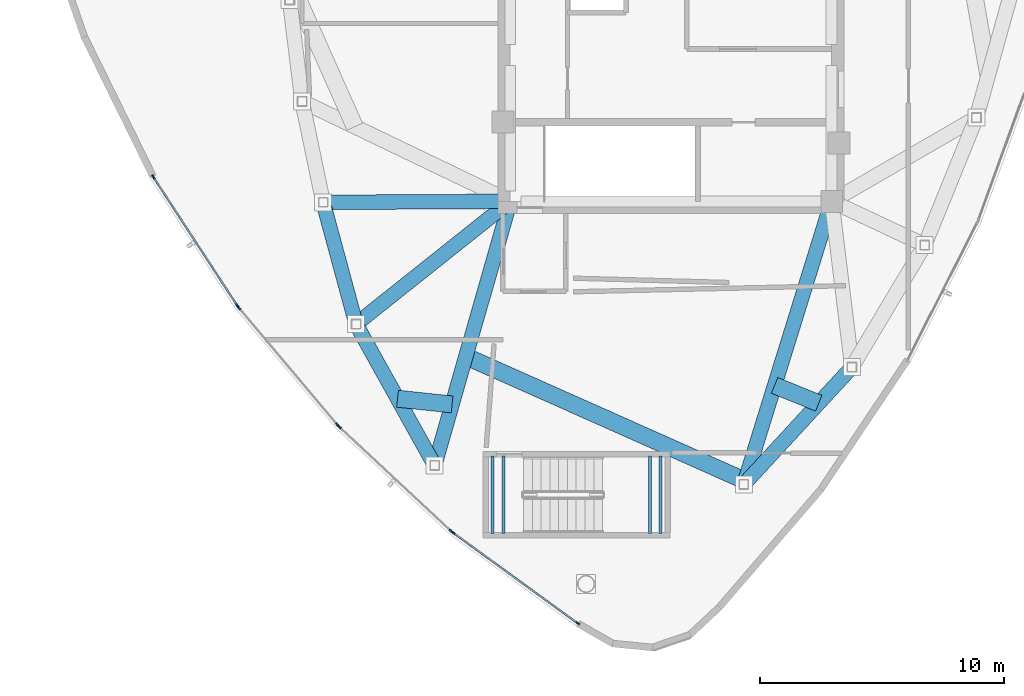
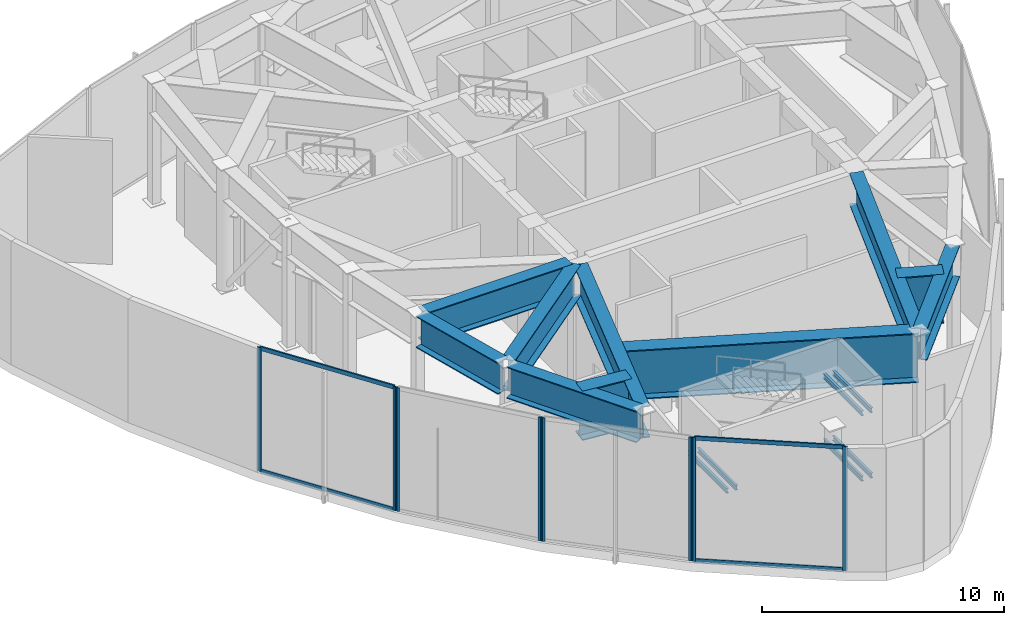
# One storey, part 2 of 13: 16 beams, 12 members, 4 elements without a shape of their own.
"""IFC4 building model written with IfcOpenShell, lengths in metres."""

import ifcopenshell
import ifcopenshell.guid

model = None  # the IFC model being written
_history = None  # IfcOwnerHistory: only IFC2X3 demands one
_inside = {}  # id of a spatial element -> (the spatial element, [elements in it])
_under = {}  # id of a project, library or spatial element -> (it, [spatial elements below it])
_declared = {}  # id of a project -> (the project, [libraries it declares])
_typed = {}  # id of a type object -> (the type object, [elements of that type])
_made_of = {}  # id of a material, layer set ... -> (it, [elements and type objects made of it])


def new_model(schema):
    """Start an empty IFC model of exactly this schema.

    Asked for "IFC4X3", IfcOpenShell would pick the latest addendum, in which some entities
    have other attributes; the version numbers below select the first issue.
    IFC2X3 requires an IfcOwnerHistory on every rooted entity: one is made here for all.
    """
    global model, _history
    if schema == "IFC4X3":
        model = ifcopenshell.file(schema_version=(4, 3, 0, 0))
    else:
        model = ifcopenshell.file(schema=schema)
    _inside.clear()
    _under.clear()
    _declared.clear()
    _typed.clear()
    _made_of.clear()
    _history = None
    if model.schema == "IFC2X3":
        org = make("IfcOrganization", Name="unknown")
        user = make(
            "IfcPersonAndOrganization",
            ThePerson=make("IfcPerson", FamilyName="unknown"),
            TheOrganization=org,
        )
        app = make(
            "IfcApplication",
            ApplicationDeveloper=org,
            Version="unknown",
            ApplicationFullName="unknown",
            ApplicationIdentifier="unknown",
        )
        _history = make(
            "IfcOwnerHistory",
            OwningUser=user,
            OwningApplication=app,
            ChangeAction="ADDED",
            CreationDate=0,
        )
    return model


def make(cls, **values):
    """One entity of the class cls with the attributes given. An attribute that is None is left unset."""
    return model.create_entity(
        cls, **{name: value for name, value in values.items() if value is not None}
    )


def rooted(cls, **values):
    """An entity with a GlobalId (a new one), such as an element, a storey or a relation."""
    return make(cls, GlobalId=ifcopenshell.guid.new(), OwnerHistory=_history, **values)


def si_unit(unit_type, name, prefix=None):
    """IfcSIUnit, for example si_unit("LENGTHUNIT", "METRE", prefix="MILLI")."""
    return make("IfcSIUnit", UnitType=unit_type, Prefix=prefix, Name=name)


def assignment(units):
    """IfcUnitAssignment: the units of a project."""
    return None if units is None else make("IfcUnitAssignment", Units=units)


def point(xyz):
    """IfcCartesianPoint."""
    return None if xyz is None else make("IfcCartesianPoint", Coordinates=xyz)


def direction(xyz):
    """IfcDirection."""
    return None if xyz is None else make("IfcDirection", DirectionRatios=xyz)


def frame(location, z_axis=None, x_axis=None):
    """IfcAxis2Placement3D, a coordinate frame: its origin and axes. An axis left out is left unset."""
    return make(
        "IfcAxis2Placement3D",
        Location=point(location),
        Axis=direction(z_axis),
        RefDirection=direction(x_axis),
    )


def frame_2d(location, x_axis=None):
    """IfcAxis2Placement2D, a coordinate frame in the plane: its origin and x axis."""
    return make(
        "IfcAxis2Placement2D", Location=point(location), RefDirection=direction(x_axis)
    )


def origin():
    """The frame at (0, 0, 0) with its axes left unset."""
    return frame((0.0, 0.0, 0.0))


def origin_2d():
    """The frame at (0, 0) in the plane with its x axis left unset."""
    return frame_2d((0.0, 0.0))


def place(relative_to, where):
    """IfcLocalPlacement: puts the frame where relative to a parent placement (None: the world)."""
    return make(
        "IfcLocalPlacement", PlacementRelTo=relative_to, RelativePlacement=where
    )


def context(
    kind, dimensions, precision=None, world=None, true_north=None, identifier=None
):
    """IfcGeometricRepresentationContext, for example the 3D "Model" context."""
    return make(
        "IfcGeometricRepresentationContext",
        ContextIdentifier=identifier,
        ContextType=kind,
        CoordinateSpaceDimension=dimensions,
        Precision=precision,
        WorldCoordinateSystem=world,
        TrueNorth=true_north,
    )


def subcontext(parent, identifier, kind, view, scale=None):
    """IfcGeometricRepresentationSubContext, for example "Body" below "Model"."""
    return make(
        "IfcGeometricRepresentationSubContext",
        ContextIdentifier=identifier,
        ContextType=kind,
        ParentContext=parent,
        TargetScale=scale,
        TargetView=view,
    )


def project(units=None, contexts=None):
    """IfcProject with its units and contexts."""
    return rooted(
        "IfcProject",
        Name="project",
        RepresentationContexts=contexts,
        UnitsInContext=assignment(units),
    )


def spatial(cls, under=None, at=None, **own):
    """A site, building, storey or space (cls), placed at a placement, below another one or the project."""
    s = rooted(cls, ObjectPlacement=at, **own)
    if under is not None:
        _under.setdefault(under.id(), (under, []))[1].append(s)
    return s


def profile(cls, at=None, kind="AREA", **sizes):
    """A parametric profile (cls). Its sizes go by their IFC names, for example OverallWidth=200.0."""
    return make(cls, ProfileType=kind, Position=at, **sizes)


def hollow_rectangle(**sizes):
    """IfcRectangleHollowProfileDef."""
    return profile("IfcRectangleHollowProfileDef", **sizes)


def i_section(**sizes):
    """IfcIShapeProfileDef."""
    return profile("IfcIShapeProfileDef", **sizes)


def extrude(swept, where, along, depth):
    """IfcExtrudedAreaSolid: the profile swept, set in the frame where, extruded along a direction by depth."""
    return make(
        "IfcExtrudedAreaSolid",
        SweptArea=swept,
        Position=where,
        ExtrudedDirection=direction(along),
        Depth=depth,
    )


def shape(context_of_items, identifier, shape_type, items):
    """IfcShapeRepresentation: the items that make up one representation, for example the "Body"."""
    return make(
        "IfcShapeRepresentation",
        ContextOfItems=context_of_items,
        RepresentationIdentifier=identifier,
        RepresentationType=shape_type,
        Items=items,
    )


def source(mapping_origin, context_of_items, identifier, shape_type, items):
    """IfcRepresentationMap: a shape defined once, which mapped items show again and again."""
    return make(
        "IfcRepresentationMap",
        MappingOrigin=mapping_origin,
        MappedRepresentation=shape(context_of_items, identifier, shape_type, items),
    )


def transform(
    local_origin,
    x_axis=None,
    y_axis=None,
    z_axis=None,
    scale=None,
    scale2=None,
    scale3=None,
    uniform=True,
):
    """IfcCartesianTransformationOperator3D, or its non-uniform kind. x_axis, y_axis, z_axis: its Axis1, 2, 3."""
    if uniform:
        return make(
            "IfcCartesianTransformationOperator3D",
            Axis1=direction(x_axis),
            Axis2=direction(y_axis),
            LocalOrigin=point(local_origin),
            Scale=scale,
            Axis3=direction(z_axis),
        )
    return make(
        "IfcCartesianTransformationOperator3DnonUniform",
        Axis1=direction(x_axis),
        Axis2=direction(y_axis),
        LocalOrigin=point(local_origin),
        Scale=scale,
        Axis3=direction(z_axis),
        Scale2=scale2,
        Scale3=scale3,
    )


def mapped(mapping_source, mapping_target):
    """IfcMappedItem: shows the shape of a source again, moved by a transform."""
    return make(
        "IfcMappedItem", MappingSource=mapping_source, MappingTarget=mapping_target
    )


def material(Name=None, Category=None):
    """IfcMaterial."""
    return make("IfcMaterial", Name=Name, Category=Category)


def layer(
    of_material, thickness, ventilated=None, Name=None, Category=None, Priority=None
):
    """IfcMaterialLayer: one layer of a wall or slab, of a material (None: an air gap)."""
    return make(
        "IfcMaterialLayer",
        Material=of_material,
        LayerThickness=thickness,
        IsVentilated=ventilated,
        Name=Name,
        Category=Category,
        Priority=Priority,
    )


def layer_set(layers, Name=None):
    """IfcMaterialLayerSet."""
    return make("IfcMaterialLayerSet", MaterialLayers=layers, LayerSetName=Name)


def material_profile(
    of_material, cross_section, Name=None, Category=None, Priority=None
):
    """IfcMaterialProfile: a cross section and its material."""
    return make(
        "IfcMaterialProfile",
        Name=Name,
        Material=of_material,
        Profile=cross_section,
        Priority=Priority,
        Category=Category,
    )


def profile_set(profiles, Name=None, composite=None):
    """IfcMaterialProfileSet."""
    return make(
        "IfcMaterialProfileSet",
        Name=Name,
        MaterialProfiles=profiles,
        CompositeProfile=composite,
    )


def made_of(thing, what):
    """Note that an element or type object is made of a material, layer set ...; save() writes the relation."""
    if what is not None:
        _made_of.setdefault(what.id(), (what, []))[1].append(thing)
    return thing


def type_object(cls, material=None, **own):
    """A type object (cls), such as IfcWallType, which elements share."""
    return made_of(rooted(cls, **own), material)


def type_shapes(of_type, sources):
    """Give a type object the sources (RepresentationMaps) that its elements show as mapped items."""
    of_type.RepresentationMaps = sources


def element(
    cls,
    number,
    at=None,
    inside=None,
    cuts=None,
    type_object=None,
    material=None,
    context=None,
    identifier="Body",
    shape_type=None,
    held_by="IfcProductDefinitionShape",
    body=None,
    shapes=None,
    **own,
):
    """One element of the class cls, such as IfcWall. Its Tag is "e" and its number.

    at: its placement. inside: the storey or other place that contains it. cuts: it is an
    opening in that element (IfcRelVoidsElement). A single representation is given by context,
    identifier, shape_type and body (its items); several are given by shapes. held_by: the class
    of the entity that holds the representations. save() writes the other relations.
    """
    e = rooted(cls, Tag="e%d" % number, ObjectPlacement=at, **own)
    if body is not None:
        shapes = [shape(context, identifier, shape_type, body)]
    if shapes is not None:
        e.Representation = make(held_by, Representations=shapes)
    if inside is not None:
        _inside.setdefault(inside.id(), (inside, []))[1].append(e)
    if cuts is not None:
        rooted(
            "IfcRelVoidsElement", RelatingBuildingElement=cuts, RelatedOpeningElement=e
        )
    if type_object is not None:
        _typed.setdefault(type_object.id(), (type_object, []))[1].append(e)
    return made_of(e, material)


def aggregate(whole, parts):
    """IfcRelAggregates: a whole, such as a stair, and the parts it consists of."""
    return rooted("IfcRelAggregates", RelatingObject=whole, RelatedObjects=parts)


def save(model, path):
    """Write the relations noted so far, then the file.

    IfcRelAggregates (storeys below a building ...), IfcRelContainedInSpatialStructure (elements
    in a storey), IfcRelDefinesByType, IfcRelAssociatesMaterial and IfcRelDeclares: one each for
    every whole, place, type object, material and project.
    """
    for whole, parts in _under.values():
        aggregate(whole, parts)
    for where, things in _inside.values():
        rooted(
            "IfcRelContainedInSpatialStructure",
            RelatedElements=things,
            RelatingStructure=where,
        )
    for kind, things in _typed.values():
        rooted("IfcRelDefinesByType", RelatedObjects=things, RelatingType=kind)
    for what, things in _made_of.values():
        rooted("IfcRelAssociatesMaterial", RelatedObjects=things, RelatingMaterial=what)
    for by, libraries in _declared.values():
        rooted("IfcRelDeclares", RelatingContext=by, RelatedDefinitions=libraries)
    model.write(path)


model = new_model("IFC4")

# Units and contexts
model_context = context("Model", 3, precision=1e-05, world=origin(), true_north=direction((0.0, 1.0)))
body_context = subcontext(model_context, "Body", "Model", "MODEL_VIEW")
ifc_project = project(units=[si_unit("LENGTHUNIT", "METRE"), si_unit("AREAUNIT", "SQUARE_METRE"), si_unit("VOLUMEUNIT", "CUBIC_METRE"), si_unit("PLANEANGLEUNIT", "RADIAN"), si_unit("MASSUNIT", "GRAM", prefix="KILO")], contexts=[model_context])

# Site, building, storey
site_placement = place(None, origin())
site = spatial("IfcSite", under=ifc_project, at=site_placement, CompositionType="ELEMENT")
building_placement = place(site_placement, origin())
building = spatial("IfcBuilding", under=site, at=building_placement, Name="Tavelor Broadcast Tower", CompositionType="ELEMENT")
storey_placement = place(building_placement, frame((0.0, 0.0, 325.5)))
storey = spatial("IfcBuildingStorey", under=building, at=storey_placement, Name="L78", CompositionType="ELEMENT", Elevation=325.5)

# Beams
ifc_material_1 = material(Name="Steel S460", Category="steel")
ifc_material_profile_1 = material_profile(ifc_material_1, i_section(OverallWidth=0.60009765625, OverallDepth=1.60009765625, WebThickness=0.028076171875, FlangeThickness=0.048095703125, at=origin_2d()), Name="PG 1600x600")
ifc_profile_set_1 = profile_set([ifc_material_profile_1], Name="Steel S460")
beam_type_1 = type_object("IfcBeamType", Name="Crown and Spire Transfer Girder PG1600", PredefinedType="BEAM", material=ifc_profile_set_1)
beam_1_placement = place(storey_placement, frame((35.7666015625, 38.57177734375, 5.449951171875), z_axis=(0.261091192609, -0.965314140134, 0.0), x_axis=(0.965314140134, 0.261091192609, 0.0)))
element("IfcBeam", 1, at=beam_1_placement, inside=storey, type_object=beam_type_1, Name="L78 Framed-Tube Ring Spandrel 04", PredefinedType="BEAM", context=body_context, shape_type="SweptSolid", body=[
    extrude(i_section(OverallWidth=0.60009765625, OverallDepth=1.60009765625, WebThickness=0.028076171875, FlangeThickness=0.048095703125, at=origin_2d()), origin(), (0.0, 0.0, 1.0), 4.793212890625),
])
beam_2_placement = place(storey_placement, frame((37.161376953125, 33.591796875, 5.449951171875), z_axis=(0.485960824991, -0.87398059279, 0.0), x_axis=(0.87398059279, 0.485960824991, 0.0)))
element("IfcBeam", 2, at=beam_2_placement, inside=storey, type_object=beam_type_1, Name="L78 Framed-Tube Ring Spandrel 05", PredefinedType="BEAM", context=body_context, shape_type="SweptSolid", body=[
    extrude(i_section(OverallWidth=0.60009765625, OverallDepth=1.60009765625, WebThickness=0.028076171875, FlangeThickness=0.048095703125, at=origin_2d()), origin(), (0.0, 0.0, 1.0), 6.25927734375),
])
beam_3_placement = place(storey_placement, frame((53.123046875, 27.318115234375, 5.449951171875), z_axis=(0.677791441508, 0.735254215778, 0.0), x_axis=(-0.735254215778, 0.677791441508, 0.0)))
element("IfcBeam", 3, at=beam_3_placement, inside=storey, type_object=beam_type_1, Name="L78 Framed-Tube Ring Spandrel 08", PredefinedType="BEAM", context=body_context, shape_type="SweptSolid", body=[
    extrude(i_section(OverallWidth=0.60009765625, OverallDepth=1.60009765625, WebThickness=0.028076171875, FlangeThickness=0.048095703125, at=origin_2d()), origin(), (0.0, 0.0, 1.0), 6.164794921875),
])
beam_4_placement = place(storey_placement, frame((42.968017578125, 38.797607421875, 5.449951171875), z_axis=(-0.999984499874, -0.005567765406, 0.0), x_axis=(0.005567765406, -0.999984499874, 0.0)))
element("IfcBeam", 4, at=beam_4_placement, inside=storey, type_object=beam_type_1, Name="L78 Radial Primary Floor Girder 04", PredefinedType="BEAM", context=body_context, shape_type="SweptSolid", body=[
    extrude(i_section(OverallWidth=0.60009765625, OverallDepth=1.60009765625, WebThickness=0.028076171875, FlangeThickness=0.048095703125, at=origin_2d()), origin(), (0.0, 0.0, 1.0), 7.0595703125),
])
beam_5_placement = place(storey_placement, frame((43.06201171875, 38.531005859375, 5.449951171875), z_axis=(-0.782378063296, -0.622803794203, 0.0), x_axis=(0.622803794203, -0.782378063296, 0.0)))
element("IfcBeam", 5, at=beam_5_placement, inside=storey, type_object=beam_type_1, Name="L78 Radial Primary Floor Girder 05", PredefinedType="BEAM", context=body_context, shape_type="SweptSolid", body=[
    extrude(i_section(OverallWidth=0.60009765625, OverallDepth=1.60009765625, WebThickness=0.028076171875, FlangeThickness=0.048095703125, at=origin_2d()), origin(), (0.0, 0.0, 1.0), 7.46923828125),
])
beam_6_placement = place(storey_placement, frame((43.28125, 38.384765625, 5.449951171875), z_axis=(-0.275093242186, -0.961417551381, 0.0), x_axis=(0.961417551381, -0.275093242186, 0.0)))
element("IfcBeam", 6, at=beam_6_placement, inside=storey, type_object=beam_type_1, Name="L78 Radial Primary Floor Girder 06", PredefinedType="BEAM", context=body_context, shape_type="SweptSolid", body=[
    extrude(i_section(OverallWidth=0.60009765625, OverallDepth=1.60009765625, WebThickness=0.028076171875, FlangeThickness=0.048095703125, at=origin_2d()), origin(), (0.0, 0.0, 1.0), 10.65771484375),
])
beam_7_placement = place(storey_placement, frame((56.471923828125, 38.387451171875, 5.449951171875), z_axis=(-0.296386578424, -0.955068058376, 0.0), x_axis=(0.955068058376, -0.296386578424, 0.0)))
element("IfcBeam", 7, at=beam_7_placement, inside=storey, type_object=beam_type_1, Name="L78 Radial Primary Floor Girder 08", PredefinedType="BEAM", context=body_context, shape_type="SweptSolid", body=[
    extrude(i_section(OverallWidth=0.60009765625, OverallDepth=1.60009765625, WebThickness=0.028076171875, FlangeThickness=0.048095703125, at=origin_2d()), origin(), (0.0, 0.0, 1.0), 11.546142578125),
])
ifc_material_profile_2 = material_profile(ifc_material_1, i_section(OverallWidth=0.699951171875, OverallDepth=2.5, WebThickness=0.031982421875, FlangeThickness=0.052001953125, at=origin_2d()), Name="PG 2500x700")
ifc_profile_set_2 = profile_set([ifc_material_profile_2], Name="Steel S460")
beam_type_2 = type_object("IfcBeamType", Name="Opposite Slide Transfer Girder HEB900", PredefinedType="BEAM", material=ifc_profile_set_2)
beam_8_placement = place(storey_placement, frame((56.065185546875, 30.510009765625, 5.0), z_axis=(-0.927212618488, 0.374535392341, 0.0), x_axis=(-0.374535392341, -0.927212618488, 0.0)))
element("IfcBeam", 8, at=beam_8_placement, inside=storey, type_object=beam_type_2, Name="L78 Transfer Header Girder 12", PredefinedType="BEAM", context=body_context, shape_type="SweptSolid", body=[
    extrude(i_section(OverallWidth=0.699951171875, OverallDepth=2.5, WebThickness=0.031982421875, FlangeThickness=0.052001953125, at=origin_2d()), origin(), (0.0, 0.0, 1.0), 1.952880859375),
])
beam_9_placement = place(storey_placement, frame((41.013427734375, 30.458984375, 5.0), z_axis=(-0.994520283413, 0.104543798856, 0.0), x_axis=(-0.104543798856, -0.994520283413, 0.0)))
element("IfcBeam", 9, at=beam_9_placement, inside=storey, type_object=beam_type_2, Name="L78 Transfer Header Girder 13", PredefinedType="BEAM", context=body_context, shape_type="SweptSolid", body=[
    extrude(i_section(OverallWidth=0.699951171875, OverallDepth=2.5, WebThickness=0.031982421875, FlangeThickness=0.052001953125, at=origin_2d()), origin(), (0.0, 0.0, 1.0), 2.253662109375),
])
ifc_material_profile_3 = material_profile(ifc_material_1, i_section(OverallWidth=0.699951171875, OverallDepth=2.5, WebThickness=0.031982421875, FlangeThickness=0.052001953125, at=origin_2d()), Name="PG 2500x700")
ifc_profile_set_3 = profile_set([ifc_material_profile_3], Name="Steel S460")
beam_type_3 = type_object("IfcBeamType", Name="Podium Studio Transfer Truss Chord HEB1000", PredefinedType="BEAM", material=ifc_profile_set_3)
beam_10_placement = place(storey_placement, frame((53.03955078125, 27.326904296875, 5.0), z_axis=(-0.91354575803, 0.406735968393, 0.0), x_axis=(-0.406735968393, -0.91354575803, 0.0)))
element("IfcBeam", 10, at=beam_10_placement, inside=storey, type_object=beam_type_3, Name="L78 Transfer Header Girder 11", PredefinedType="BEAM", context=body_context, shape_type="SweptSolid", body=[
    extrude(i_section(OverallWidth=0.699951171875, OverallDepth=2.5, WebThickness=0.031982421875, FlangeThickness=0.052001953125, at=origin_2d()), origin(), (0.0, 0.0, 1.0), 12.546875),
])
ifc_material_2 = material(Name="Steel S355", Category="steel")
ifc_material_profile_4 = material_profile(ifc_material_2, i_section(OverallWidth=0.1201171875, OverallDepth=0.239990234375, WebThickness=0.006103515625, FlangeThickness=0.009765625, at=origin_2d()), Name="IPE 240")
ifc_profile_set_4 = profile_set([ifc_material_profile_4], Name="Steel S355")
beam_type_4 = type_object("IfcBeamType", Name="Stairwell Landing Support Trimmer Beam IPE240", PredefinedType="BEAM", material=ifc_profile_set_4)
for number, where, z_axis, x_axis, name in (
    (11, (49.135009765625, 25.159912109375, 1.3349609375), (0.0, 1.0, 0.0), (-1.0, 0.0, 0.0), "L78 Stair Landing Support Beam 485"),
    (12, (49.574951171875, 25.159912109375, 1.3349609375), (0.0, 1.0, 0.0), (-1.0, 0.0, 0.0), "L78 Stair Landing Support Beam 486"),
    (13, (42.675048828125, 25.159912109375, 2.985107421875), (0.0, 1.0, 0.0), (-1.0, 0.0, 0.0), "L78 Stair Landing Support Beam 487"),
    (14, (43.114990234375, 25.159912109375, 2.985107421875), (0.0, 1.0, 0.0), (-1.0, 0.0, 0.0), "L78 Stair Landing Support Beam 488"),
    (15, (49.135009765625, 25.159912109375, 4.635009765625), (0.0, 1.0, 0.0), (-1.0, 0.0, 0.0), "L78 Stair Landing Support Beam 489"),
    (16, (49.574951171875, 25.159912109375, 4.635009765625), (0.0, 1.0, 0.0), (-1.0, 0.0, 0.0), "L78 Stair Landing Support Beam 490"),
):
    element("IfcBeam", number, at=place(storey_placement, frame(where, z_axis=z_axis, x_axis=x_axis)), inside=storey, type_object=beam_type_4, Name=name, PredefinedType="BEAM", context=body_context, shape_type="SweptSolid", body=[
        extrude(i_section(OverallWidth=0.1201171875, OverallDepth=0.239990234375, WebThickness=0.006103515625, FlangeThickness=0.009765625, at=origin_2d()), origin(), (0.0, 0.0, 1.0), 3.18017578125),
    ])

# Curtain wall, members
ifc_material_3 = material(Name="Architectural Anodized Aluminium", Category="aluminium")
ifc_layer = layer(ifc_material_3, 0.199951171875)
ifc_layer_set = layer_set([ifc_layer], Name="Architectural Anodized Aluminium")
curtain_wall_type = type_object("IfcCurtainWallType", Name="Tower High-Zone Triple-Glazed Curtain Wall CW04", PredefinedType="NOTDEFINED", material=ifc_layer_set)
curtain_wall_1_placement = place(storey_placement, origin())
curtain_wall_1 = element("IfcCurtainWall", 17, at=curtain_wall_1_placement, inside=storey, type_object=curtain_wall_type, Name="L78 Curtain Wall CW04 Run 865", PredefinedType="NOTDEFINED")
ifc_material_profile_5 = material_profile(ifc_material_3, hollow_rectangle(XDim=0.070068359375, YDim=0.199951171875, WallThickness=0.02197265625, at=origin_2d()), Name="RHS 70x200x22")
ifc_profile_set_5 = profile_set([ifc_material_profile_5], Name="Architectural Anodized Aluminium")
member_type_1 = type_object("IfcMemberType", Name="CW04 Extruded Aluminium Mullion 70x200", PredefinedType="MULLION", material=ifc_profile_set_5)
shared_shape_1 = source(origin(), body_context, "Body", "SweptSolid", [
    extrude(hollow_rectangle(XDim=0.070068359375, YDim=0.199951171875, WallThickness=0.02197265625, at=origin_2d()), origin(), (0.0, 0.0, 1.0), 6.25),
])
type_shapes(member_type_1, [shared_shape_1])
member_1_placement = place(storey_placement, frame((28.74609375, 39.79736328125, 0.0), z_axis=(0.0, 0.0, 1.0), x_axis=(0.837485546794, 0.546459476001, 0.0)))
member_1 = element("IfcMember", 18, at=member_1_placement, type_object=member_type_1, Name="CW04 mullion 1", PredefinedType="MULLION", context=body_context, shape_type="MappedRepresentation", body=[
    mapped(shared_shape_1, transform((0.0, 0.0, 0.0), scale=1.0)),
])
member_2_placement = place(storey_placement, frame((32.194580078125, 34.51220703125, 0.0), z_axis=(0.0, 0.0, 1.0), x_axis=(0.837485546794, 0.546459476001, 0.0)))
member_2 = element("IfcMember", 19, at=member_2_placement, type_object=member_type_1, Name="CW04 mullion 2", PredefinedType="MULLION", context=body_context, shape_type="MappedRepresentation", body=[
    mapped(shared_shape_1, transform((0.0, 0.0, 0.0), scale=1.0)),
])

curtain_wall_2_placement = place(storey_placement, origin())
curtain_wall_2 = element("IfcCurtainWall", 20, at=curtain_wall_2_placement, inside=storey, type_object=curtain_wall_type, Name="L78 Curtain Wall CW04 Run 866", PredefinedType="NOTDEFINED")
member_3_placement = place(storey_placement, frame((32.254150390625, 34.43212890625, 0.0), z_axis=(0.0, 0.0, 1.0), x_axis=(0.765198324925, 0.64379462838, 0.0)))
member_3 = element("IfcMember", 21, at=member_3_placement, type_object=member_type_1, Name="CW04 mullion 1", PredefinedType="MULLION", context=body_context, shape_type="MappedRepresentation", body=[
    mapped(shared_shape_1, transform((0.0, 0.0, 0.0), scale=1.0)),
])
member_4_placement = place(storey_placement, frame((36.30712890625, 29.61474609375, 0.0), z_axis=(0.0, 0.0, 1.0), x_axis=(0.765198324925, 0.64379462838, 0.0)))
member_4 = element("IfcMember", 22, at=member_4_placement, type_object=member_type_1, Name="CW04 mullion 2", PredefinedType="MULLION", context=body_context, shape_type="MappedRepresentation", body=[
    mapped(shared_shape_1, transform((0.0, 0.0, 0.0), scale=1.0)),
])
aggregate(curtain_wall_2, [member_3, member_4])

curtain_wall_3_placement = place(storey_placement, origin())
curtain_wall_3 = element("IfcCurtainWall", 23, at=curtain_wall_3_placement, inside=storey, type_object=curtain_wall_type, Name="L78 Curtain Wall CW04 Run 867", PredefinedType="NOTDEFINED")
member_5_placement = place(storey_placement, frame((36.3759765625, 29.54248046875, 0.0), z_axis=(0.0, 0.0, 1.0), x_axis=(0.681662531779, 0.731666722469, 0.0)))
member_5 = element("IfcMember", 24, at=member_5_placement, type_object=member_type_1, Name="CW04 mullion 1", PredefinedType="MULLION", context=body_context, shape_type="MappedRepresentation", body=[
    mapped(shared_shape_1, transform((0.0, 0.0, 0.0), scale=1.0)),
])
member_6_placement = place(storey_placement, frame((40.982177734375, 25.2509765625, 0.0), z_axis=(0.0, 0.0, 1.0), x_axis=(0.681662531779, 0.731666722469, 0.0)))
member_6 = element("IfcMember", 25, at=member_6_placement, type_object=member_type_1, Name="CW04 mullion 2", PredefinedType="MULLION", context=body_context, shape_type="MappedRepresentation", body=[
    mapped(shared_shape_1, transform((0.0, 0.0, 0.0), scale=1.0)),
])
aggregate(curtain_wall_3, [member_5, member_6])

curtain_wall_4_placement = place(storey_placement, origin())
curtain_wall_4 = element("IfcCurtainWall", 26, at=curtain_wall_4_placement, inside=storey, type_object=curtain_wall_type, Name="L78 Curtain Wall CW04 Run 868", PredefinedType="NOTDEFINED")
member_7_placement = place(storey_placement, frame((41.05908203125, 25.1875, 0.0), z_axis=(0.0, 0.0, 1.0), x_axis=(0.588117653961, 0.808775386061, 0.0)))
member_7 = element("IfcMember", 27, at=member_7_placement, type_object=member_type_1, Name="CW04 mullion 1", PredefinedType="MULLION", context=body_context, shape_type="MappedRepresentation", body=[
    mapped(shared_shape_1, transform((0.0, 0.0, 0.0), scale=1.0)),
])
member_8_placement = place(storey_placement, frame((46.16357421875, 21.4755859375, 0.0), z_axis=(0.0, 0.0, 1.0), x_axis=(0.588117653961, 0.808775386061, 0.0)))
member_8 = element("IfcMember", 28, at=member_8_placement, type_object=member_type_1, Name="CW04 mullion 2", PredefinedType="MULLION", context=body_context, shape_type="MappedRepresentation", body=[
    mapped(shared_shape_1, transform((0.0, 0.0, 0.0), scale=1.0)),
])

# Member
ifc_material_profile_6 = material_profile(ifc_material_3, hollow_rectangle(XDim=0.070068359375, YDim=0.199951171875, WallThickness=0.02197265625, at=origin_2d()), Name="RHS 70x200x22")
ifc_profile_set_6 = profile_set([ifc_material_profile_6], Name="Architectural Anodized Aluminium")
member_type_2 = type_object("IfcMemberType", Name="CW04 Extruded Aluminium Transom 70x200", PredefinedType="USERDEFINED", material=ifc_profile_set_6)
shared_shape_2 = source(origin(), body_context, "Body", "SweptSolid", [
    extrude(hollow_rectangle(XDim=0.070068359375, YDim=0.199951171875, WallThickness=0.02197265625, at=origin_2d()), origin(), (0.0, 0.0, 1.0), 6.24072265625),
])
member_9_placement = place(storey_placement, frame((28.76513671875, 39.76806640625, 0.034912109375), z_axis=(0.546467048715, -0.837480605548, 0.0), x_axis=(0.837480605548, 0.546467048715, 0.0)))
member_9 = element("IfcMember", 29, at=member_9_placement, type_object=member_type_2, Name="CW04 transom 1.1", ObjectType="TRANSOM", PredefinedType="USERDEFINED", context=body_context, shape_type="MappedRepresentation", body=[
    mapped(shared_shape_2, transform((0.0, 0.0, 0.0), scale=1.0)),
])

member_10_placement = place(storey_placement, frame((28.76513671875, 39.76806640625, 6.215087890625), z_axis=(0.546467048715, -0.837480605548, 0.0), x_axis=(0.837480605548, 0.546467048715, 0.0)))
member_10 = element("IfcMember", 30, at=member_10_placement, type_object=member_type_2, Name="CW04 transom 1.2", ObjectType="TRANSOM", PredefinedType="USERDEFINED", context=body_context, shape_type="MappedRepresentation", body=[
    mapped(shared_shape_2, transform((0.0, 0.0, 0.0), scale=1.0)),
])

aggregate(curtain_wall_1, [member_1, member_2, member_9, member_10])

shared_shape_3 = source(origin(), body_context, "Body", "SweptSolid", [
    extrude(hollow_rectangle(XDim=0.070068359375, YDim=0.199951171875, WallThickness=0.02197265625, at=origin_2d()), origin(), (0.0, 0.0, 1.0), 6.241455078125),
])
type_shapes(member_type_2, [shared_shape_2, shared_shape_3])
member_11_placement = place(storey_placement, frame((41.08740234375, 25.1669921875, 0.034912109375), z_axis=(0.808774987701, -0.588118201784, 0.0), x_axis=(0.588118201784, 0.808774987701, 0.0)))
member_11 = element("IfcMember", 31, at=member_11_placement, type_object=member_type_2, Name="CW04 transom 1.1", ObjectType="TRANSOM", PredefinedType="USERDEFINED", context=body_context, shape_type="MappedRepresentation", body=[
    mapped(shared_shape_3, transform((0.0, 0.0, 0.0), scale=1.0)),
])

member_12_placement = place(storey_placement, frame((41.08740234375, 25.1669921875, 6.215087890625), z_axis=(0.808774987701, -0.588118201784, 0.0), x_axis=(0.588118201784, 0.808774987701, 0.0)))
member_12 = element("IfcMember", 32, at=member_12_placement, type_object=member_type_2, Name="CW04 transom 1.2", ObjectType="TRANSOM", PredefinedType="USERDEFINED", context=body_context, shape_type="MappedRepresentation", body=[
    mapped(shared_shape_3, transform((0.0, 0.0, 0.0), scale=1.0)),
])

aggregate(curtain_wall_4, [member_7, member_8, member_11, member_12])

save(model, "model.ifc")
